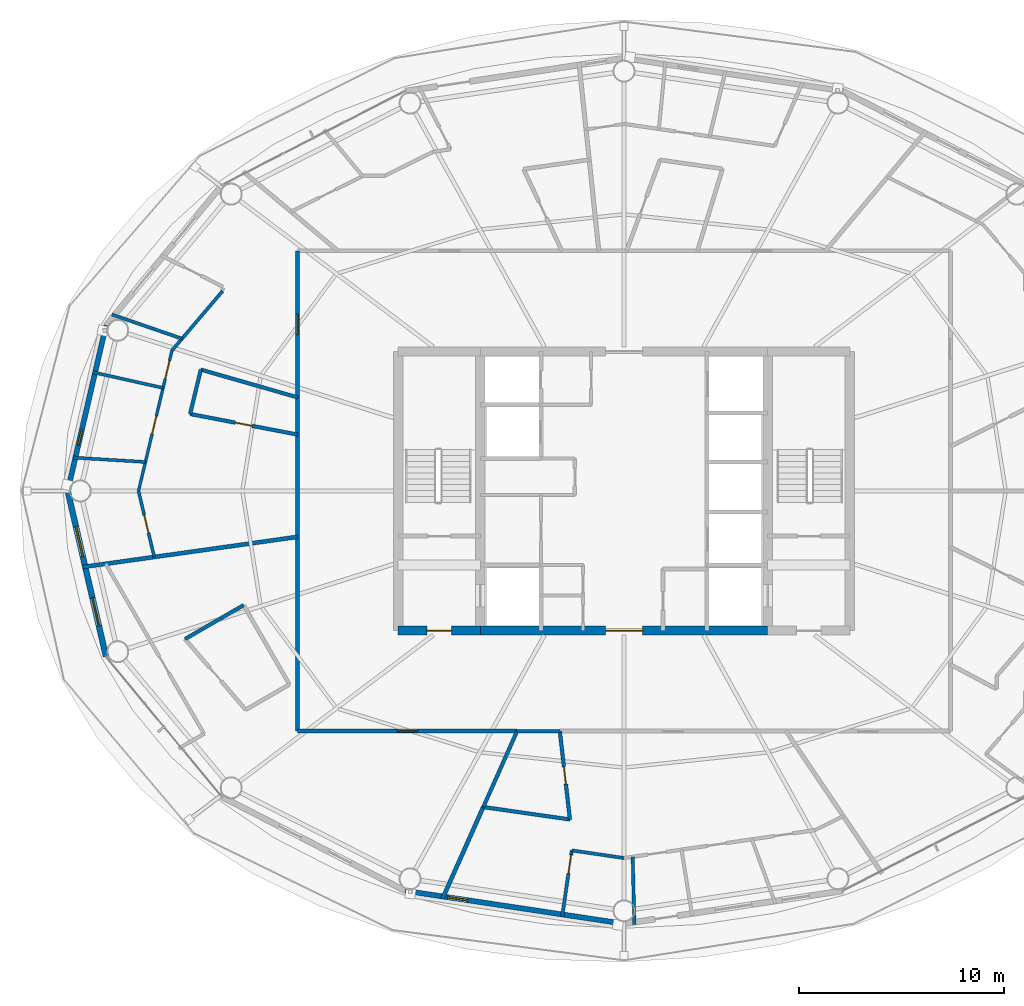
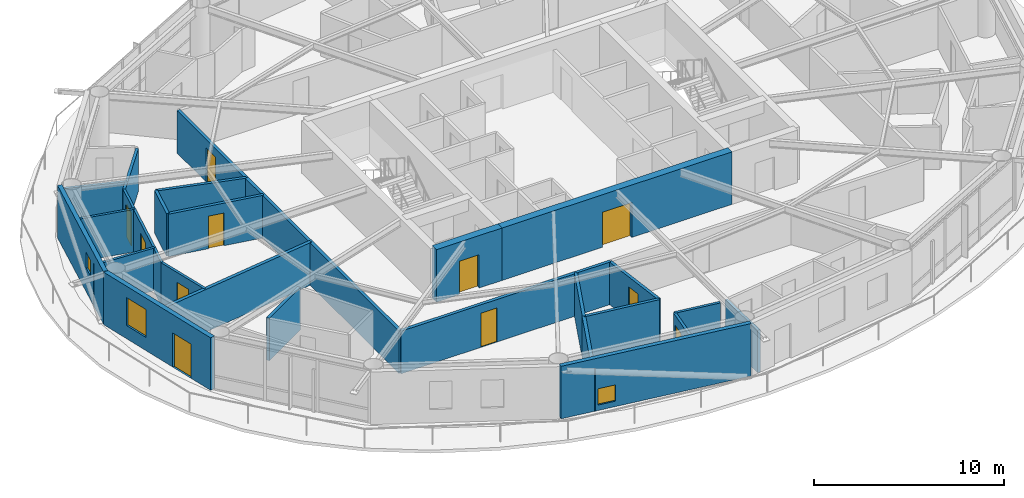
# One storey, part 20 of 28: 27 walls, 11 doors, 3 windows, 14 openings.
"""IFC4 building model written with IfcOpenShell, lengths in metres."""

from ifc_helpers import new_model, si_unit, direction, frame, frame_2d, origin, place, context, subcontext, project, spatial, rectangle, extrude, material, layer, layer_set, type_object, element, fill, save


model = new_model("IFC4")

# Units and contexts
model_context = context("Model", 3, precision=1e-05, world=origin(), true_north=direction((0.0, 1.0)))
body_context = subcontext(model_context, "Body", "Model", "MODEL_VIEW")
ifc_project = project(units=[si_unit("LENGTHUNIT", "METRE"), si_unit("AREAUNIT", "SQUARE_METRE"), si_unit("VOLUMEUNIT", "CUBIC_METRE"), si_unit("PLANEANGLEUNIT", "RADIAN"), si_unit("MASSUNIT", "GRAM", prefix="KILO")], contexts=[model_context])

# Site, building, storey
site_placement = place(None, origin())
site = spatial("IfcSite", under=ifc_project, at=site_placement, CompositionType="ELEMENT")
building_placement = place(site_placement, origin())
building = spatial("IfcBuilding", under=site, at=building_placement, Name="Sarneth Arch Tower", CompositionType="ELEMENT")
storey_placement = place(building_placement, frame((0.0, 0.0, 172.199951171875)))
storey = spatial("IfcBuildingStorey", under=building, at=storey_placement, Name="L43", CompositionType="ELEMENT", Elevation=172.199951171875)

# Wall, opening, door
ifc_material_1 = material(Name="Concrete C50/60", Category="concrete")
ifc_layer_1 = layer(ifc_material_1, 0.449951171875)
ifc_layer_set_1 = layer_set([ifc_layer_1], Name="Concrete C50/60")
wall_type_1 = type_object("IfcWallType", Name="WALL-CORE-450", PredefinedType="SHEAR", material=ifc_layer_set_1)
wall_1_placement = place(storey_placement, frame((37.0, 35.199951171875, 0.0), z_axis=(0.0, 0.0, 1.0), x_axis=(1.0, 0.0, 0.0)))
wall_1 = element("IfcWall", 1, at=wall_1_placement, inside=storey, type_object=wall_type_1, Name="L43 Core shear wall S-W", PredefinedType="SHEAR", context=body_context, shape_type="SweptSolid", body=[
    extrude(rectangle(XDim=4.0, YDim=0.449951171875, at=frame_2d((2.0, 0.0))), origin(), (0.0, 0.0, 1.0), 3.380126953125),
])
opening_1_placement = place(wall_1_placement, frame((1.39990234375, 0.0, 0.0)))
opening_1 = element("IfcOpeningElement", 2, at=opening_1_placement, cuts=wall_1, Name="Opening FD-02", PredefinedType="OPENING", context=body_context, shape_type="SweptSolid", body=[
    extrude(rectangle(XDim=1.199951171875, YDim=2.14990234375, at=frame_2d((0.60009765625, 1.074951171875))), frame((0.0, 0.23486328125, 0.0), z_axis=(0.0, -1.0, 0.0), x_axis=(1.0, 0.0, 0.0)), (0.0, 0.0, 1.0), 0.469970703125),
])
ifc_material_2 = material(Name="Galvanised Steel S275 fire door set", Category="steel")
door_type_1 = type_object("IfcDoorType", Name="DR-FD90-1200", OperationType="SINGLE_SWING_LEFT", PredefinedType="DOOR", material=ifc_material_2)
door_1_placement = place(opening_1_placement, origin())
door_1 = element("IfcDoor", 3, at=door_1_placement, inside=storey, type_object=door_type_1, Name="L43 Firefighting lobby 1 exit door", OperationType="SINGLE_SWING_LEFT", OverallHeight=2.14990234375, OverallWidth=1.199951171875, PredefinedType="DOOR", context=body_context, shape_type="SweptSolid", body=[
    extrude(rectangle(XDim=1.199951171875, YDim=2.14990234375, at=frame_2d((0.60009765625, 1.074951171875))), frame((0.0, 0.02490234375, 0.0), z_axis=(0.0, -1.0, 0.0), x_axis=(1.0, 0.0, 0.0)), (0.0, 0.0, 1.0), 0.050048828125),
])
fill(opening_1, door_1)

wall_2_placement = place(storey_placement, frame((41.0, 35.199951171875, 0.0), z_axis=(0.0, 0.0, 1.0), x_axis=(1.0, 0.0, 0.0)))
wall_2 = element("IfcWall", 4, at=wall_2_placement, inside=storey, type_object=wall_type_1, Name="L43 Core shear wall S-M", PredefinedType="SHEAR", context=body_context, shape_type="SweptSolid", body=[
    extrude(rectangle(XDim=14.0, YDim=0.449951171875, at=frame_2d((7.0, 0.0))), origin(), (0.0, 0.0, 1.0), 3.380126953125),
])
opening_2_placement = place(wall_2_placement, frame((6.10009765625, 0.0, 0.0)))
opening_2 = element("IfcOpeningElement", 5, at=opening_2_placement, cuts=wall_2, Name="Opening FD-01", PredefinedType="OPENING", context=body_context, shape_type="SweptSolid", body=[
    extrude(rectangle(XDim=1.800048828125, YDim=2.25, at=frame_2d((0.89990234375, 1.125))), frame((0.0, 0.23486328125, 0.0), z_axis=(0.0, -1.0, 0.0), x_axis=(1.0, 0.0, 0.0)), (0.0, 0.0, 1.0), 0.469970703125),
])
ifc_material_3 = material(Name="Galvanised Steel S275 fire door set", Category="steel")
door_type_2 = type_object("IfcDoorType", Name="DR-FD90-1800", OperationType="DOUBLE_DOOR_SINGLE_SWING", PredefinedType="DOOR", material=ifc_material_3)
door_2_placement = place(opening_2_placement, origin())
door_2 = element("IfcDoor", 6, at=door_2_placement, inside=storey, type_object=door_type_2, Name="L43 Central lift lobby south door", OperationType="DOUBLE_DOOR_SINGLE_SWING", OverallHeight=2.25, OverallWidth=1.800048828125, PredefinedType="DOOR", context=body_context, shape_type="SweptSolid", body=[
    extrude(rectangle(XDim=1.800048828125, YDim=2.25, at=frame_2d((0.89990234375, 1.125))), frame((0.0, 0.02490234375, 0.0), z_axis=(0.0, -1.0, 0.0), x_axis=(1.0, 0.0, 0.0)), (0.0, 0.0, 1.0), 0.050048828125),
])
fill(opening_2, door_2)

ifc_material_4 = material(Name="Double steel-stud corridor fire wall", Category="steel")
ifc_layer_2 = layer(ifc_material_4, 0.18994140625)
ifc_layer_set_2 = layer_set([ifc_layer_2], Name="Double steel-stud corridor fire wall")
wall_type_2 = type_object("IfcWallType", Name="WALL-CORR-190", PredefinedType="PARTITIONING", material=ifc_layer_set_2)
wall_3_placement = place(storey_placement, frame((32.10009765625, 30.300048828125, 0.0), z_axis=(0.0, 0.0, 1.0), x_axis=(1.0, 0.0, 0.0)))
wall_3 = element("IfcWall", 7, at=wall_3_placement, inside=storey, type_object=wall_type_2, Name="L43 Interior partition W-L43-TP-014", PredefinedType="PARTITIONING", context=body_context, shape_type="SweptSolid", body=[
    extrude(rectangle(XDim=10.690673828125, YDim=0.18994140625, at=frame_2d((5.34521484375, 0.0))), origin(), (0.0, 0.0, 1.0), 2.739990234375),
])
opening_3_placement = place(wall_3_placement, frame((4.845458984375, 0.0, 0.0)))
opening_3 = element("IfcOpeningElement", 8, at=opening_3_placement, cuts=wall_3, Name="Opening FD-08", PredefinedType="OPENING", context=body_context, shape_type="SweptSolid", body=[
    extrude(rectangle(XDim=1.0, YDim=2.199951171875, at=frame_2d((0.5, 1.10009765625))), frame((0.0, 0.10498046875, 0.0), z_axis=(0.0, -1.0, 0.0), x_axis=(1.0, 0.0, 0.0)), (0.0, 0.0, 1.0), 0.2099609375),
])
ifc_material_5 = material(Name="Hardwood timber acoustic fire door", Category="wood")
door_type_3 = type_object("IfcDoorType", Name="DR-FD60-1000", OperationType="SINGLE_SWING_LEFT", PredefinedType="DOOR", material=ifc_material_5)
door_3_placement = place(opening_3_placement, origin())
door_3 = element("IfcDoor", 9, at=door_3_placement, inside=storey, type_object=door_type_3, Name="L43 Interior door DR-L43-U5-ENT", OperationType="SINGLE_SWING_LEFT", OverallHeight=2.199951171875, OverallWidth=1.0, PredefinedType="DOOR", context=body_context, shape_type="SweptSolid", body=[
    extrude(rectangle(XDim=1.0, YDim=2.199951171875, at=frame_2d((0.5, 1.10009765625))), frame((0.0, 0.02490234375, 0.0), z_axis=(0.0, -1.0, 0.0), x_axis=(1.0, 0.0, 0.0)), (0.0, 0.0, 1.0), 0.050048828125),
])
fill(opening_3, door_3)

# Wall
wall_4_placement = place(storey_placement, frame((32.10009765625, 46.592529296875, 0.0), z_axis=(0.0, 0.0, 1.0), x_axis=(0.0, -1.0, 0.0)))
element("IfcWall", 10, at=wall_4_placement, inside=storey, type_object=wall_type_2, Name="L43 Interior partition W-L43-TP-013", PredefinedType="PARTITIONING", context=body_context, shape_type="SweptSolid", body=[
    extrude(rectangle(XDim=16.29248046875, YDim=0.18994140625, at=frame_2d((8.146240234375, 0.0))), origin(), (0.0, 0.0, 1.0), 2.739990234375),
])

# Wall, opening, door
wall_5_placement = place(storey_placement, frame((32.10009765625, 46.52587890625, 0.0), z_axis=(0.0, 0.0, 1.0), x_axis=(0.0, 1.0, 0.0)))
wall_5 = element("IfcWall", 11, at=wall_5_placement, inside=storey, type_object=wall_type_2, Name="L43 Interior partition W-L43-TP-010", PredefinedType="PARTITIONING", context=body_context, shape_type="SweptSolid", body=[
    extrude(rectangle(XDim=7.174072265625, YDim=0.18994140625, at=frame_2d((3.5869140625, 0.0))), origin(), (0.0, 0.0, 1.0), 2.739990234375),
])
opening_4_placement = place(wall_5_placement, frame((3.0869140625, 0.0, 0.0)))
opening_4 = element("IfcOpeningElement", 12, at=opening_4_placement, cuts=wall_5, Name="Opening FD-08", PredefinedType="OPENING", context=body_context, shape_type="SweptSolid", body=[
    extrude(rectangle(XDim=1.0, YDim=2.199951171875, at=frame_2d((0.5, 1.10009765625))), frame((0.0, 0.10498046875, 0.0), z_axis=(0.0, -1.0, 0.0), x_axis=(1.0, 0.0, 0.0)), (0.0, 0.0, 1.0), 0.2099609375),
])
door_4_placement = place(opening_4_placement, origin())
door_4 = element("IfcDoor", 13, at=door_4_placement, inside=storey, type_object=door_type_3, Name="L43 Interior door DR-L43-U4-ENT", OperationType="SINGLE_SWING_LEFT", OverallHeight=2.199951171875, OverallWidth=1.0, PredefinedType="DOOR", context=body_context, shape_type="SweptSolid", body=[
    extrude(rectangle(XDim=1.0, YDim=2.199951171875, at=frame_2d((0.5, 1.10009765625))), frame((0.0, 0.02490234375, 0.0), z_axis=(0.0, -1.0, 0.0), x_axis=(1.0, 0.0, 0.0)), (0.0, 0.0, 1.0), 0.050048828125),
])
fill(opening_4, door_4)

# Wall, opening, window
ifc_material_6 = material(Name="Extruded terracotta rainscreen on Concrete C40/50 backing", Category="masonry")
ifc_layer_3 = layer(ifc_material_6, 0.25)
ifc_layer_set_3 = layer_set([ifc_layer_3], Name="Extruded terracotta rainscreen on Concrete C40/50 backing")
wall_type_3 = type_object("IfcWallType", Name="WALL-EXT-SPAND-250", PredefinedType="SOLIDWALL", material=ifc_layer_set_3)
wall_6_placement = place(storey_placement, frame((22.767578125, 50.06689453125, 0.0), z_axis=(0.0, 0.0, 1.0), x_axis=(-0.225473184558, -0.974249374157, 0.0)))
wall_6 = element("IfcWall", 14, at=wall_6_placement, inside=storey, type_object=wall_type_3, Name="L43 Terracotta perimeter wall 08", PredefinedType="SOLIDWALL", context=body_context, shape_type="SweptSolid", body=[
    extrude(rectangle(XDim=8.280029296875, YDim=0.25, at=frame_2d((4.14013671875, 0.0))), origin(), (0.0, 0.0, 1.0), 3.380126953125),
])
opening_5_placement = place(wall_6_placement, frame((5.200439453125, 0.0, 1.5400390625)))
opening_5 = element("IfcOpeningElement", 15, at=opening_5_placement, cuts=wall_6, Name="Opening W-15", PredefinedType="OPENING", context=body_context, shape_type="SweptSolid", body=[
    extrude(rectangle(XDim=0.800048828125, YDim=1.0, at=frame_2d((0.39990234375, 0.5))), frame((0.0, 0.135009765625, 0.0), z_axis=(0.0, -1.0, 0.0), x_axis=(1.0, 0.0, 0.0)), (0.0, 0.0, 1.0), 0.27001953125),
])
ifc_material_7 = material(Name="Thermally broken Aluminium 6063-T6 and low-e laminated IGU", Category="aluminium")
window_type_1 = type_object("IfcWindowType", Name="WIN-TWR-800x1000", PartitioningType="SINGLE_PANEL", PredefinedType="WINDOW", material=ifc_material_7)
window_1_placement = place(opening_5_placement, origin())
window_1 = element("IfcWindow", 16, at=window_1_placement, inside=storey, type_object=window_type_1, Name="L43 Dwelling bedroom window 03", OverallHeight=1.0, OverallWidth=0.800048828125, PartitioningType="SINGLE_PANEL", PredefinedType="WINDOW", context=body_context, shape_type="SweptSolid", body=[
    extrude(rectangle(XDim=0.800048828125, YDim=1.0, at=frame_2d((0.39990234375, 0.5))), frame((0.0, 0.030029296875, 0.0), z_axis=(0.0, -1.0, 0.0), x_axis=(1.0, 0.0, 0.0)), (0.0, 0.0, 1.0), 0.06005859375),
])
fill(opening_5, window_1)

wall_7_placement = place(storey_placement, frame((37.337158203125, 22.524658203125, 0.0), z_axis=(0.0, 0.0, 1.0), x_axis=(0.988863993413, -0.148822049884, 0.0)))
wall_7 = element("IfcWall", 17, at=wall_7_placement, inside=storey, type_object=wall_type_3, Name="L43 Terracotta perimeter wall 12", PredefinedType="SOLIDWALL", context=body_context, shape_type="SweptSolid", body=[
    extrude(rectangle(XDim=10.782958984375, YDim=0.25, at=frame_2d((5.3916015625, 0.0))), origin(), (0.0, 0.0, 1.0), 3.380126953125),
])
opening_6_placement = place(wall_7_placement, frame((2.093994140625, 0.0, 0.35009765625)))
opening_6 = element("IfcOpeningElement", 18, at=opening_6_placement, cuts=wall_7, Name="Opening W-14", PredefinedType="OPENING", context=body_context, shape_type="SweptSolid", body=[
    extrude(rectangle(XDim=1.0, YDim=1.050048828125, at=frame_2d((0.5, 0.52490234375))), frame((0.0, 0.135009765625, 0.0), z_axis=(0.0, -1.0, 0.0), x_axis=(1.0, 0.0, 0.0)), (0.0, 0.0, 1.0), 0.27001953125),
])
ifc_material_8 = material(Name="Thermally broken Aluminium 6063-T6 and low-e laminated IGU", Category="aluminium")
window_type_2 = type_object("IfcWindowType", Name="WIN-TWR-1000x1050", PartitioningType="SINGLE_PANEL", PredefinedType="WINDOW", material=ifc_material_8)
window_2_placement = place(opening_6_placement, origin())
window_2 = element("IfcWindow", 19, at=window_2_placement, inside=storey, type_object=window_type_2, Name="L43 Dwelling bedroom window 04", OverallHeight=1.050048828125, OverallWidth=1.0, PartitioningType="SINGLE_PANEL", PredefinedType="WINDOW", context=body_context, shape_type="SweptSolid", body=[
    extrude(rectangle(XDim=1.0, YDim=1.050048828125, at=frame_2d((0.5, 0.52490234375))), frame((0.0, 0.030029296875, 0.0), z_axis=(0.0, -1.0, 0.0), x_axis=(1.0, 0.0, 0.0)), (0.0, 0.0, 1.0), 0.06005859375),
])
fill(opening_6, window_2)

# Wall, openings, door, window
ifc_material_9 = material(Name="Extruded terracotta rainscreen on Concrete C40/50 backing", Category="masonry")
ifc_layer_4 = layer(ifc_material_9, 0.280029296875)
ifc_layer_set_4 = layer_set([ifc_layer_4], Name="Extruded terracotta rainscreen on Concrete C40/50 backing")
wall_type_4 = type_object("IfcWallType", Name="WALL-EXT-TERRA-280", PredefinedType="SOLIDWALL", material=ifc_layer_set_4)
wall_8_placement = place(storey_placement, frame((20.900634765625, 42.0, 0.0), z_axis=(0.0, 0.0, 1.0), x_axis=(0.225473184558, -0.974249374157, 0.0)))
wall_8 = element("IfcWall", 20, at=wall_8_placement, inside=storey, type_object=wall_type_4, Name="L43 Terracotta perimeter wall 09", PredefinedType="SOLIDWALL", context=body_context, shape_type="SweptSolid", body=[
    extrude(rectangle(XDim=8.280029296875, YDim=0.280029296875, at=frame_2d((4.14013671875, 0.0))), origin(), (0.0, 0.0, 1.0), 3.380126953125),
])
opening_7_placement = place(wall_8_placement, frame((1.78173828125, 0.0, 0.85009765625)))
opening_7 = element("IfcOpeningElement", 21, at=opening_7_placement, cuts=wall_8, Name="Opening W-07", PredefinedType="OPENING", context=body_context, shape_type="SweptSolid", body=[
    extrude(rectangle(XDim=1.5, YDim=1.800048828125, at=frame_2d((0.75, 0.89990234375))), frame((0.0, 0.14990234375, 0.0), z_axis=(0.0, -1.0, 0.0), x_axis=(1.0, 0.0, 0.0)), (0.0, 0.0, 1.0), 0.300048828125),
])
opening_8_placement = place(wall_8_placement, frame((5.343994140625, 0.0, 0.0)))
opening_8 = element("IfcOpeningElement", 22, at=opening_8_placement, cuts=wall_8, Name="Opening BD-2", PredefinedType="OPENING", context=body_context, shape_type="SweptSolid", body=[
    extrude(rectangle(XDim=1.39990234375, YDim=2.199951171875, at=frame_2d((0.699951171875, 1.10009765625))), frame((0.0, 0.14990234375, 0.0), z_axis=(0.0, -1.0, 0.0), x_axis=(1.0, 0.0, 0.0)), (0.0, 0.0, 1.0), 0.300048828125),
])
ifc_material_10 = material(Name="Thermally broken Aluminium 6063-T6 and laminated safety glass", Category="aluminium")
door_type_4 = type_object("IfcDoorType", Name="DR-BALC-GLZ-1400", OperationType="SINGLE_SWING_LEFT", PredefinedType="DOOR", material=ifc_material_10)
door_5_placement = place(opening_8_placement, origin())
door_5 = element("IfcDoor", 23, at=door_5_placement, inside=storey, type_object=door_type_4, Name="L43 Balcony glazed door 09", OperationType="SINGLE_SWING_LEFT", OverallHeight=2.199951171875, OverallWidth=1.39990234375, PredefinedType="DOOR", context=body_context, shape_type="SweptSolid", body=[
    extrude(rectangle(XDim=1.39990234375, YDim=2.199951171875, at=frame_2d((0.699951171875, 1.10009765625))), frame((0.0, 0.02490234375, 0.0), z_axis=(0.0, -1.0, 0.0), x_axis=(1.0, 0.0, 0.0)), (0.0, 0.0, 1.0), 0.050048828125),
])
fill(opening_8, door_5)
ifc_material_11 = material(Name="Thermally broken Aluminium 6063-T6 and low-e laminated IGU", Category="aluminium")
window_type_3 = type_object("IfcWindowType", Name="WIN-TWR-1500x1800", PartitioningType="SINGLE_PANEL", PredefinedType="WINDOW", material=ifc_material_11)
window_3_placement = place(opening_7_placement, origin())
window_3 = element("IfcWindow", 24, at=window_3_placement, inside=storey, type_object=window_type_3, Name="L43 Exterior window 09A", OverallHeight=1.800048828125, OverallWidth=1.5, PartitioningType="SINGLE_PANEL", PredefinedType="WINDOW", context=body_context, shape_type="SweptSolid", body=[
    extrude(rectangle(XDim=1.5, YDim=1.800048828125, at=frame_2d((0.75, 0.89990234375))), frame((0.0, 0.030029296875, 0.0), z_axis=(0.0, -1.0, 0.0), x_axis=(1.0, 0.0, 0.0)), (0.0, 0.0, 1.0), 0.06005859375),
])
fill(opening_7, window_3)

# Wall, openings, doors
ifc_material_12 = material(Name="Apartment internal stud partition", Category="gypsum")
ifc_layer_5 = layer(ifc_material_12, 0.139892578125)
ifc_layer_set_5 = layer_set([ifc_layer_5], Name="Apartment internal stud partition")
wall_type_5 = type_object("IfcWallType", Name="WALL-PART-140", PredefinedType="PARTITIONING", material=ifc_layer_set_5)
wall_9_placement = place(storey_placement, frame((24.351318359375, 42.0, 0.0), z_axis=(0.0, 0.0, 1.0), x_axis=(0.231658068135, 0.972797275627, 0.0)))
wall_9 = element("IfcWall", 25, at=wall_9_placement, inside=storey, type_object=wall_type_5, Name="L43 Interior partition W-L43-TP-068", PredefinedType="PARTITIONING", context=body_context, shape_type="SweptSolid", body=[
    extrude(rectangle(XDim=7.03369140625, YDim=0.139892578125, at=frame_2d((3.516845703125, 0.0))), origin(), (0.0, 0.0, 1.0), 2.739990234375),
])
opening_9_placement = place(wall_9_placement, frame((2.85498046875, 0.0, 0.0)))
opening_9 = element("IfcOpeningElement", 26, at=opening_9_placement, cuts=wall_9, Name="Opening ID-01", PredefinedType="OPENING", context=body_context, shape_type="SweptSolid", body=[
    extrude(rectangle(XDim=0.89990234375, YDim=2.10009765625, at=frame_2d((0.449951171875, 1.050048828125))), frame((0.0, 0.079833984375, 0.0), z_axis=(0.0, -1.0, 0.0), x_axis=(1.0, 0.0, 0.0)), (0.0, 0.0, 1.0), 0.159912109375),
])
opening_10_placement = place(wall_9_placement, frame((5.63037109375, 0.0, 0.0)))
opening_10 = element("IfcOpeningElement", 27, at=opening_10_placement, cuts=wall_9, Name="Opening ID-01", PredefinedType="OPENING", context=body_context, shape_type="SweptSolid", body=[
    extrude(rectangle(XDim=0.89990234375, YDim=2.10009765625, at=frame_2d((0.449951171875, 1.050048828125))), frame((0.0, 0.079833984375, 0.0), z_axis=(0.0, -1.0, 0.0), x_axis=(1.0, 0.0, 0.0)), (0.0, 0.0, 1.0), 0.159912109375),
])
ifc_material_13 = material(Name="Engineered hardwood flush door", Category="wood")
door_type_5 = type_object("IfcDoorType", Name="DR-INT-900", OperationType="SINGLE_SWING_LEFT", PredefinedType="DOOR", material=ifc_material_13)
door_6_placement = place(opening_9_placement, origin())
door_6 = element("IfcDoor", 28, at=door_6_placement, inside=storey, type_object=door_type_5, Name="L43 Interior door DR-L43-U4-BED1", OperationType="SINGLE_SWING_RIGHT", OverallHeight=2.10009765625, OverallWidth=0.89990234375, PredefinedType="DOOR", context=body_context, shape_type="SweptSolid", body=[
    extrude(rectangle(XDim=0.89990234375, YDim=2.10009765625, at=frame_2d((0.449951171875, 1.050048828125))), frame((0.0, 0.02490234375, 0.0), z_axis=(0.0, -1.0, 0.0), x_axis=(1.0, 0.0, 0.0)), (0.0, 0.0, 1.0), 0.050048828125),
])
fill(opening_9, door_6)
door_7_placement = place(opening_10_placement, origin())
door_7 = element("IfcDoor", 29, at=door_7_placement, inside=storey, type_object=door_type_5, Name="L43 Interior door DR-L43-U4-STD", OperationType="SINGLE_SWING_RIGHT", OverallHeight=2.10009765625, OverallWidth=0.89990234375, PredefinedType="DOOR", context=body_context, shape_type="SweptSolid", body=[
    extrude(rectangle(XDim=0.89990234375, YDim=2.10009765625, at=frame_2d((0.449951171875, 1.050048828125))), frame((0.0, 0.02490234375, 0.0), z_axis=(0.0, -1.0, 0.0), x_axis=(1.0, 0.0, 0.0)), (0.0, 0.0, 1.0), 0.050048828125),
])
fill(opening_10, door_7)

# Walls
ifc_material_14 = material(Name="Acoustic gypsum stud partition", Category="gypsum")
ifc_layer_6 = layer(ifc_material_14, 0.14990234375)
ifc_layer_set_6 = layer_set([ifc_layer_6], Name="Acoustic gypsum stud partition")
wall_type_6 = type_object("IfcWallType", Name="WALL-PART-150", PredefinedType="PARTITIONING", material=ifc_layer_set_6)
wall_10_placement = place(storey_placement, frame((21.155517578125, 43.625732421875, 0.0), z_axis=(0.0, 0.0, 1.0), x_axis=(0.998171777701, -0.060440898408, 0.0)))
element("IfcWall", 30, at=wall_10_placement, inside=storey, type_object=wall_type_6, Name="L43 Interior partition W-L43-TP-074", PredefinedType="PARTITIONING", context=body_context, shape_type="SweptSolid", body=[
    extrude(rectangle(XDim=3.538330078125, YDim=0.14990234375, at=frame_2d((1.76904296875, 0.0))), origin(), (0.0, 0.0, 1.0), 2.739990234375),
])
wall_11_placement = place(storey_placement, frame((25.54638671875, 47.018798828125, 0.0), z_axis=(0.0, 0.0, 1.0), x_axis=(-0.975921546644, 0.218121834754, 0.0)))
element("IfcWall", 31, at=wall_11_placement, inside=storey, type_object=wall_type_6, Name="L43 Interior partition W-L43-TP-073", PredefinedType="PARTITIONING", context=body_context, shape_type="SweptSolid", body=[
    extrude(rectangle(XDim=3.5146484375, YDim=0.14990234375, at=frame_2d((1.75732421875, 0.0))), origin(), (0.0, 0.0, 1.0), 2.739990234375),
])

# Wall, opening, door
wall_12_placement = place(storey_placement, frame((24.351318359375, 42.0, 0.0), z_axis=(0.0, 0.0, 1.0), x_axis=(0.231590575549, -0.972813345569, 0.0)))
wall_12 = element("IfcWall", 32, at=wall_12_placement, inside=storey, type_object=wall_type_6, Name="L43 Interior partition W-L43-TP-070", PredefinedType="PARTITIONING", context=body_context, shape_type="SweptSolid", body=[
    extrude(rectangle(XDim=3.305908203125, YDim=0.14990234375, at=frame_2d((1.65283203125, 0.0))), origin(), (0.0, 0.0, 1.0), 2.739990234375),
])
opening_11_placement = place(wall_12_placement, frame((1.202880859375, 0.0, 0.0)))
opening_11 = element("IfcOpeningElement", 33, at=opening_11_placement, cuts=wall_12, Name="Opening ID-01", PredefinedType="OPENING", context=body_context, shape_type="SweptSolid", body=[
    extrude(rectangle(XDim=0.89990234375, YDim=2.10009765625, at=frame_2d((0.449951171875, 1.050048828125))), frame((0.0, 0.0849609375, 0.0), z_axis=(0.0, -1.0, 0.0), x_axis=(1.0, 0.0, 0.0)), (0.0, 0.0, 1.0), 0.169921875),
])
door_8_placement = place(opening_11_placement, origin())
door_8 = element("IfcDoor", 34, at=door_8_placement, inside=storey, type_object=door_type_5, Name="L43 Interior door DR-L43-U4-BED2", OperationType="SINGLE_SWING_LEFT", OverallHeight=2.10009765625, OverallWidth=0.89990234375, PredefinedType="DOOR", context=body_context, shape_type="SweptSolid", body=[
    extrude(rectangle(XDim=0.89990234375, YDim=2.10009765625, at=frame_2d((0.449951171875, 1.050048828125))), frame((0.0, 0.02490234375, 0.0), z_axis=(0.0, -1.0, 0.0), x_axis=(1.0, 0.0, 0.0)), (0.0, 0.0, 1.0), 0.050048828125),
])
fill(opening_11, door_8)

# Walls
ifc_material_15 = material(Name="Kitchen wet service chase wall", Category="gypsum")
ifc_layer_7 = layer(ifc_material_15, 0.159912109375)
ifc_layer_set_7 = layer_set([ifc_layer_7], Name="Kitchen wet service chase wall")
wall_type_7 = type_object("IfcWallType", Name="WALL-PLUMB-160", PredefinedType="PLUMBINGWALL", material=ifc_layer_set_7)
wall_13_placement = place(storey_placement, frame((26.470703125, 49.418212890625, 0.0), z_axis=(0.0, 0.0, 1.0), x_axis=(-0.945442677411, 0.325788495392, 0.0)))
element("IfcWall", 35, at=wall_13_placement, inside=storey, type_object=wall_type_7, Name="L43 Interior partition W-L43-TP-072", PredefinedType="PLUMBINGWALL", context=body_context, shape_type="SweptSolid", body=[
    extrude(rectangle(XDim=3.60986328125, YDim=0.159912109375, at=frame_2d((1.804931640625, 0.0))), origin(), (0.0, 0.0, 1.0), 2.739990234375),
])
wall_14_placement = place(storey_placement, frame((48.423095703125, 24.181884765625, 0.0), z_axis=(0.0, 0.0, 1.0), x_axis=(0.023765895275, -0.999717551222, 0.0)))
element("IfcWall", 36, at=wall_14_placement, inside=storey, type_object=wall_type_7, Name="L43 Interior partition W-L43-TP-095", PredefinedType="PLUMBINGWALL", context=body_context, shape_type="SweptSolid", body=[
    extrude(rectangle(XDim=3.307861328125, YDim=0.159912109375, at=frame_2d((1.65380859375, 0.0))), origin(), (0.0, 0.0, 1.0), 2.739990234375),
])

# Wall, opening, door
wall_15_placement = place(storey_placement, frame((44.9853515625, 21.252197265625, 0.0), z_axis=(0.0, 0.0, 1.0), x_axis=(0.14376989574, 0.989611144379, 0.0)))
wall_15 = element("IfcWall", 37, at=wall_15_placement, inside=storey, type_object=wall_type_7, Name="L43 Interior partition W-L43-TP-085", PredefinedType="PLUMBINGWALL", context=body_context, shape_type="SweptSolid", body=[
    extrude(rectangle(XDim=3.27392578125, YDim=0.159912109375, at=frame_2d((1.636962890625, 0.0))), origin(), (0.0, 0.0, 1.0), 2.739990234375),
])
opening_12_placement = place(wall_15_placement, frame((2.14697265625, 0.0, 0.0)))
opening_12 = element("IfcOpeningElement", 38, at=opening_12_placement, cuts=wall_15, Name="Opening ID-01", PredefinedType="OPENING", context=body_context, shape_type="SweptSolid", body=[
    extrude(rectangle(XDim=0.89990234375, YDim=2.10009765625, at=frame_2d((0.449951171875, 1.050048828125))), frame((0.0, 0.08984375, 0.0), z_axis=(0.0, -1.0, 0.0), x_axis=(1.0, 0.0, 0.0)), (0.0, 0.0, 1.0), 0.179931640625),
])
door_9_placement = place(opening_12_placement, origin())
door_9 = element("IfcDoor", 39, at=door_9_placement, inside=storey, type_object=door_type_5, Name="L43 Interior door DR-L43-U6-KIT", OperationType="SINGLE_SWING_LEFT", OverallHeight=2.10009765625, OverallWidth=0.89990234375, PredefinedType="DOOR", context=body_context, shape_type="SweptSolid", body=[
    extrude(rectangle(XDim=0.89990234375, YDim=2.10009765625, at=frame_2d((0.449951171875, 1.050048828125))), frame((0.0, 0.02490234375, 0.0), z_axis=(0.0, -1.0, 0.0), x_axis=(1.0, 0.0, 0.0)), (0.0, 0.0, 1.0), 0.050048828125),
])
fill(opening_12, door_9)

# Walls
wall_16_placement = place(storey_placement, frame((25.980712890625, 48.84228515625, 0.0), z_axis=(0.0, 0.0, 1.0), x_axis=(0.648022171798, 0.761621470849, 0.0)))
element("IfcWall", 40, at=wall_16_placement, inside=storey, type_object=wall_type_7, Name="L43 Interior partition W-L43-TP-062", PredefinedType="PLUMBINGWALL", context=body_context, shape_type="SweptSolid", body=[
    extrude(rectangle(XDim=3.810302734375, YDim=0.159912109375, at=frame_2d((1.9052734375, 0.0))), origin(), (0.0, 0.0, 1.0), 2.739990234375),
])
wall_17_placement = place(storey_placement, frame((45.4560546875, 24.4921875, 0.0), z_axis=(0.0, 0.0, 1.0), x_axis=(0.989473006689, -0.144717549155, 0.0)))
element("IfcWall", 41, at=wall_17_placement, inside=storey, type_object=wall_type_7, Name="L43 Interior partition W-L43-TP-086", PredefinedType="PLUMBINGWALL", context=body_context, shape_type="SweptSolid", body=[
    extrude(rectangle(XDim=2.571044921875, YDim=0.159912109375, at=frame_2d((1.28564453125, 0.0))), origin(), (0.0, 0.0, 1.0), 2.739990234375),
])

# Wall, opening, door
ifc_material_16 = material(Name="Moisture-resistant plumbing chase wall", Category="gypsum")
ifc_layer_8 = layer(ifc_material_16, 0.179931640625)
ifc_layer_set_8 = layer_set([ifc_layer_8], Name="Moisture-resistant plumbing chase wall")
wall_type_8 = type_object("IfcWallType", Name="WALL-PLUMB-180", PredefinedType="PLUMBINGWALL", material=ifc_layer_set_8)
wall_18_placement = place(storey_placement, frame((32.10009765625, 44.746337890625, 0.0), z_axis=(0.0, 0.0, 1.0), x_axis=(-0.982104947805, 0.188334467098, 0.0)))
wall_18 = element("IfcWall", 42, at=wall_18_placement, inside=storey, type_object=wall_type_8, Name="L43 Interior partition W-L43-TP-065", PredefinedType="PLUMBINGWALL", context=body_context, shape_type="SweptSolid", body=[
    extrude(rectangle(XDim=5.331787109375, YDim=0.179931640625, at=frame_2d((2.666015625, 0.0))), origin(), (0.0, 0.0, 1.0), 2.739990234375),
])
opening_13_placement = place(wall_18_placement, frame((2.24072265625, 0.0, 0.0)))
opening_13 = element("IfcOpeningElement", 43, at=opening_13_placement, cuts=wall_18, Name="Opening ID-02", PredefinedType="OPENING", context=body_context, shape_type="SweptSolid", body=[
    extrude(rectangle(XDim=0.85009765625, YDim=2.10009765625, at=frame_2d((0.425048828125, 1.050048828125))), frame((0.0, 0.099853515625, 0.0), z_axis=(0.0, -1.0, 0.0), x_axis=(1.0, 0.0, 0.0)), (0.0, 0.0, 1.0), 0.199951171875),
])
ifc_material_17 = material(Name="Moisture-resistant bathroom timber door", Category="wood")
door_type_6 = type_object("IfcDoorType", Name="DR-INT-850", OperationType="SINGLE_SWING_RIGHT", PredefinedType="DOOR", material=ifc_material_17)
door_10_placement = place(opening_13_placement, origin())
door_10 = element("IfcDoor", 44, at=door_10_placement, inside=storey, type_object=door_type_6, Name="L43 Interior door DR-L43-U4-BATH", OperationType="SINGLE_SWING_LEFT", OverallHeight=2.10009765625, OverallWidth=0.85009765625, PredefinedType="DOOR", context=body_context, shape_type="SweptSolid", body=[
    extrude(rectangle(XDim=0.85009765625, YDim=2.10009765625, at=frame_2d((0.425048828125, 1.050048828125))), frame((0.0, 0.02490234375, 0.0), z_axis=(0.0, -1.0, 0.0), x_axis=(1.0, 0.0, 0.0)), (0.0, 0.0, 1.0), 0.050048828125),
])
fill(opening_13, door_10)

# Wall
wall_19_placement = place(storey_placement, frame((27.38720703125, 47.91064453125, 0.0), z_axis=(0.0, 0.0, 1.0), x_axis=(0.961266088446, -0.27562203686, 0.0)))
element("IfcWall", 45, at=wall_19_placement, inside=storey, type_object=wall_type_8, Name="L43 Interior partition W-L43-TP-067", PredefinedType="PLUMBINGWALL", context=body_context, shape_type="SweptSolid", body=[
    extrude(rectangle(XDim=4.90283203125, YDim=0.179931640625, at=frame_2d((2.451416015625, 0.0))), origin(), (0.0, 0.0, 1.0), 2.739990234375),
])

# Wall, opening, door
wall_20_placement = place(storey_placement, frame((44.872802734375, 30.300048828125, 0.0), z_axis=(0.0, 0.0, 1.0), x_axis=(0.11390281129, -0.993491897088, 0.0)))
wall_20 = element("IfcWall", 46, at=wall_20_placement, inside=storey, type_object=wall_type_8, Name="L43 Interior partition W-L43-TP-088", PredefinedType="PLUMBINGWALL", context=body_context, shape_type="SweptSolid", body=[
    extrude(rectangle(XDim=4.32958984375, YDim=0.179931640625, at=frame_2d((2.164794921875, 0.0))), origin(), (0.0, 0.0, 1.0), 2.739990234375),
])
opening_14_placement = place(wall_20_placement, frame((1.73974609375, 0.0, 0.0)))
opening_14 = element("IfcOpeningElement", 47, at=opening_14_placement, cuts=wall_20, Name="Opening ID-02", PredefinedType="OPENING", context=body_context, shape_type="SweptSolid", body=[
    extrude(rectangle(XDim=0.85009765625, YDim=2.10009765625, at=frame_2d((0.425048828125, 1.050048828125))), frame((0.0, 0.099853515625, 0.0), z_axis=(0.0, -1.0, 0.0), x_axis=(1.0, 0.0, 0.0)), (0.0, 0.0, 1.0), 0.199951171875),
])
door_11_placement = place(opening_14_placement, origin())
door_11 = element("IfcDoor", 48, at=door_11_placement, inside=storey, type_object=door_type_6, Name="L43 Interior door DR-L43-U6-BATH", OperationType="SINGLE_SWING_RIGHT", OverallHeight=2.10009765625, OverallWidth=0.85009765625, PredefinedType="DOOR", context=body_context, shape_type="SweptSolid", body=[
    extrude(rectangle(XDim=0.85009765625, YDim=2.10009765625, at=frame_2d((0.425048828125, 1.050048828125))), frame((0.0, 0.02490234375, 0.0), z_axis=(0.0, -1.0, 0.0), x_axis=(1.0, 0.0, 0.0)), (0.0, 0.0, 1.0), 0.050048828125),
])
fill(opening_14, door_11)

# Walls
wall_21_placement = place(storey_placement, frame((45.365966796875, 25.99853515625, 0.0), z_axis=(0.0, 0.0, 1.0), x_axis=(-0.98982427769, 0.14229511339, 0.0)))
element("IfcWall", 49, at=wall_21_placement, inside=storey, type_object=wall_type_8, Name="L43 Interior partition W-L43-TP-089", PredefinedType="PLUMBINGWALL", context=body_context, shape_type="SweptSolid", body=[
    extrude(rectangle(XDim=4.263671875, YDim=0.179931640625, at=frame_2d((2.1318359375, 0.0))), origin(), (0.0, 0.0, 1.0), 2.739990234375),
])
wall_22_placement = place(storey_placement, frame((41.145751953125, 26.605224609375, 0.0), z_axis=(0.0, 0.0, 1.0), x_axis=(0.406732062562, 0.913547497005, 0.0)))
element("IfcWall", 50, at=wall_22_placement, inside=storey, type_object=wall_type_8, Name="L43 Interior partition W-L43-TP-084", PredefinedType="PLUMBINGWALL", context=body_context, shape_type="SweptSolid", body=[
    extrude(rectangle(XDim=4.04443359375, YDim=0.179931640625, at=frame_2d((2.022216796875, 0.0))), origin(), (0.0, 0.0, 1.0), 2.739990234375),
])
wall_23_placement = place(storey_placement, frame((29.469482421875, 36.438232421875, 0.0), z_axis=(0.0, 0.0, 1.0), x_axis=(-0.86566653326, -0.500621067469, 0.0)))
element("IfcWall", 51, at=wall_23_placement, inside=storey, type_object=wall_type_8, Name="L43 Interior partition W-L43-TP-079", PredefinedType="PLUMBINGWALL", context=body_context, shape_type="SweptSolid", body=[
    extrude(rectangle(XDim=3.291748046875, YDim=0.179931640625, at=frame_2d((1.64599609375, 0.0))), origin(), (0.0, 0.0, 1.0), 2.739990234375),
])
wall_24_placement = place(storey_placement, frame((26.86376953125, 45.75048828125, 0.0), z_axis=(0.0, 0.0, 1.0), x_axis=(0.235499423966, 0.971874488456, 0.0)))
element("IfcWall", 52, at=wall_24_placement, inside=storey, type_object=wall_type_8, Name="L43 Interior partition W-L43-TP-066", PredefinedType="PLUMBINGWALL", context=body_context, shape_type="SweptSolid", body=[
    extrude(rectangle(XDim=2.22265625, YDim=0.179931640625, at=frame_2d((1.111328125, 0.0))), origin(), (0.0, 0.0, 1.0), 2.739990234375),
])
wall_25_placement = place(storey_placement, frame((42.790771484375, 30.300048828125, 0.0), z_axis=(0.0, 0.0, 1.0), x_axis=(1.0, 0.0, 0.0)))
element("IfcWall", 53, at=wall_25_placement, inside=storey, type_object=wall_type_8, Name="L43 Interior partition W-L43-TP-016", PredefinedType="PLUMBINGWALL", context=body_context, shape_type="SweptSolid", body=[
    extrude(rectangle(XDim=2.08203125, YDim=0.179931640625, at=frame_2d((1.041015625, 0.0))), origin(), (0.0, 0.0, 1.0), 2.739990234375),
])
ifc_material_18 = material(Name="Double steel-stud acoustic drywall", Category="steel")
ifc_layer_9 = layer(ifc_material_18, 0.199951171875)
ifc_layer_set_9 = layer_set([ifc_layer_9], Name="Double steel-stud acoustic drywall")
wall_type_9 = type_object("IfcWallType", Name="WALL-UNIT-200", PredefinedType="PARTITIONING", material=ifc_layer_set_9)
wall_26_placement = place(storey_placement, frame((21.635498046875, 38.294677734375, 0.0), z_axis=(0.0, 0.0, 1.0), x_axis=(0.990268074466, 0.139173060229, 0.0)))
element("IfcWall", 54, at=wall_26_placement, inside=storey, type_object=wall_type_9, Name="L43 Interior partition W-L43-TP-071", PredefinedType="PARTITIONING", context=body_context, shape_type="SweptSolid", body=[
    extrude(rectangle(XDim=10.5673828125, YDim=0.199951171875, at=frame_2d((5.28369140625, 0.0))), origin(), (0.0, 0.0, 1.0), 2.739990234375),
])
wall_27_placement = place(storey_placement, frame((39.155029296875, 22.134033203125, 0.0), z_axis=(0.0, 0.0, 1.0), x_axis=(0.406740050792, 0.913543940422, 0.0)))
element("IfcWall", 55, at=wall_27_placement, inside=storey, type_object=wall_type_9, Name="L43 Interior partition W-L43-TP-083", PredefinedType="PARTITIONING", context=body_context, shape_type="SweptSolid", body=[
    extrude(rectangle(XDim=4.894287109375, YDim=0.199951171875, at=frame_2d((2.447265625, 0.0))), origin(), (0.0, 0.0, 1.0), 2.739990234375),
])

save(model, "model.ifc")
